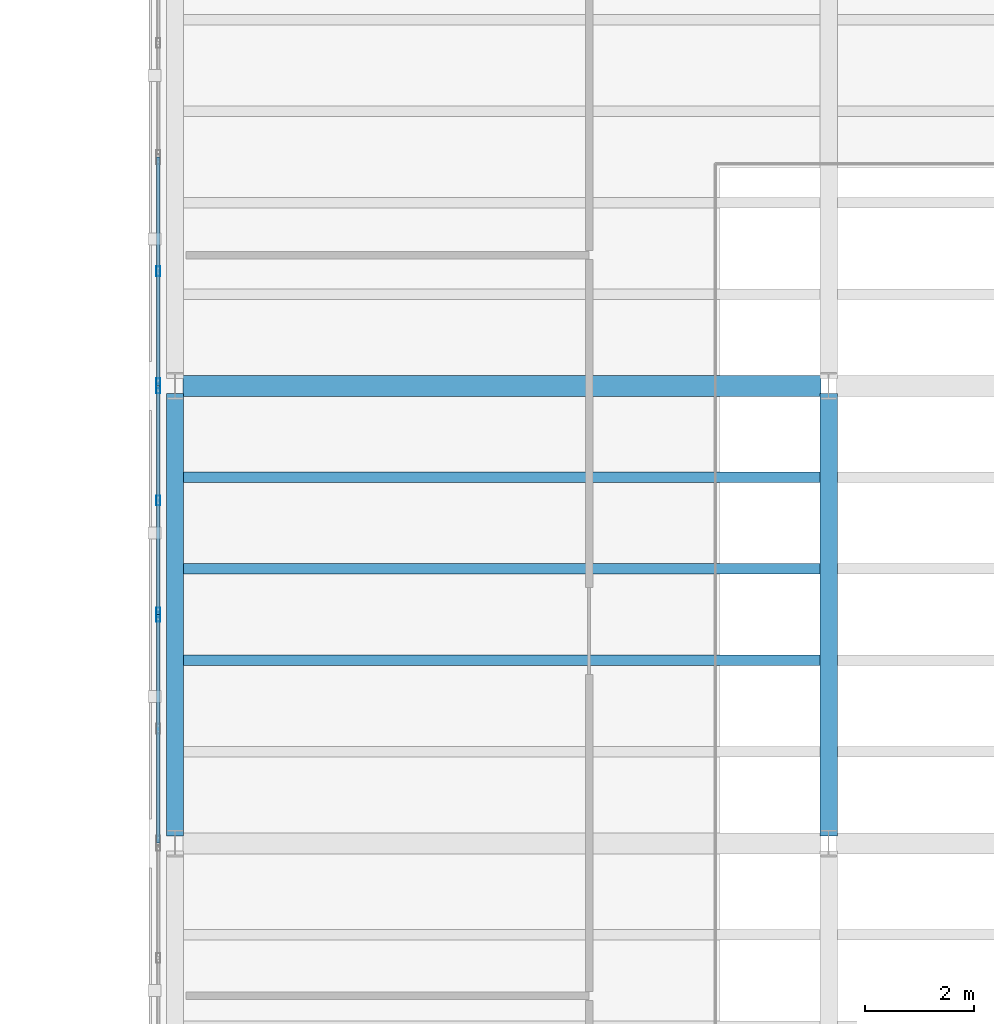
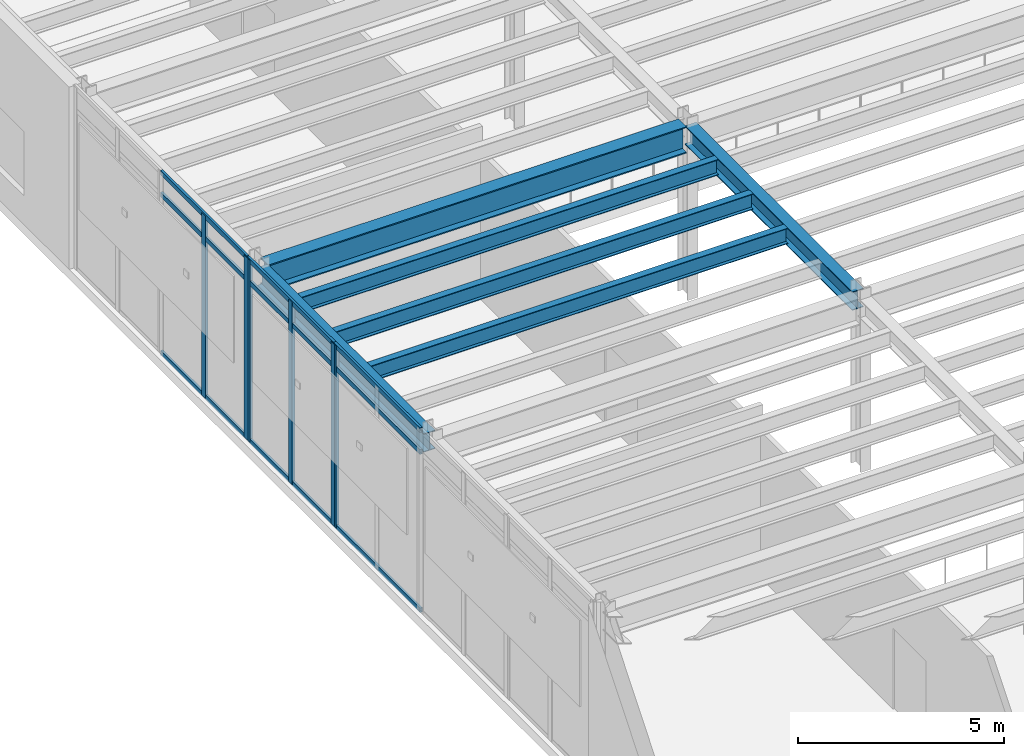
# One storey, part 35 of 98: 15 members, 6 beams, 3 elements without a shape of their own.
"""IFC4 building model written with IfcOpenShell, lengths in metres."""

from ifc_helpers import new_model, si_unit, direction, frame, origin, origin_2d, place, context, subcontext, project, spatial, hollow_rectangle, i_section, extrude, material, layer, layer_set, material_profile, profile_set, type_object, element, aggregate, save


model = new_model("IFC4")

# Units and contexts
model_context = context("Model", 3, precision=1e-05, world=origin(), true_north=direction((0.0, 1.0)))
body_context = subcontext(model_context, "Body", "Model", "MODEL_VIEW")
ifc_project = project(units=[si_unit("LENGTHUNIT", "METRE"), si_unit("AREAUNIT", "SQUARE_METRE"), si_unit("VOLUMEUNIT", "CUBIC_METRE"), si_unit("PLANEANGLEUNIT", "RADIAN"), si_unit("MASSUNIT", "GRAM", prefix="KILO")], contexts=[model_context])

# Site, building, storey
site_placement = place(None, origin())
site = spatial("IfcSite", under=ifc_project, at=site_placement, CompositionType="ELEMENT")
building_placement = place(site_placement, origin())
building = spatial("IfcBuilding", under=site, at=building_placement, Name="Sollismere Congress Hotel", CompositionType="ELEMENT")
storey_placement = place(building_placement, frame((0.0, 0.0, 5.39990234375)))
storey = spatial("IfcBuildingStorey", under=building, at=storey_placement, Name="L01", CompositionType="ELEMENT", Elevation=5.39990234375)

# Beams
ifc_material_1 = material(Name="Steel ASTM A992 Grade 50", Category="steel")
ifc_material_profile_1 = material_profile(ifc_material_1, i_section(OverallWidth=0.31494140625, OverallDepth=0.551025390625, WebThickness=0.01513671875, FlangeThickness=0.0244140625, at=origin_2d()), Name="W21X122")
ifc_profile_set_1 = profile_set([ifc_material_profile_1], Name="Steel ASTM A992 Grade 50")
beam_type_1 = type_object("IfcBeamType", Name="BM-G21H", PredefinedType="BEAM", material=ifc_profile_set_1)
for number, where, z_axis, x_axis, name in (
    (1, (112.0, 41.739990234375, 4.844482421875), (0.0, 1.0, 0.0), (-1.0, 0.0, 0.0), "Beam BM-L01-1683"),
    (2, (124.0, 41.739990234375, 4.844482421875), (0.0, 1.0, 0.0), (-1.0, 0.0, 0.0), "Beam BM-L01-1694"),
):
    element("IfcBeam", number, at=place(storey_placement, frame(where, z_axis=z_axis, x_axis=x_axis)), inside=storey, type_object=beam_type_1, Name=name, PredefinedType="BEAM", context=body_context, shape_type="SweptSolid", body=[
        extrude(i_section(OverallWidth=0.31494140625, OverallDepth=0.551025390625, WebThickness=0.01513671875, FlangeThickness=0.0244140625, at=origin_2d()), origin(), (0.0, 0.0, 1.0), 8.1201171875),
    ])
ifc_material_profile_2 = material_profile(ifc_material_1, i_section(OverallWidth=0.384033203125, OverallDepth=0.787109375, WebThickness=0.019775390625, FlangeThickness=0.033447265625, at=origin_2d()), Name="W30X211")
ifc_profile_set_2 = profile_set([ifc_material_profile_2], Name="Steel ASTM A992 Grade 50")
beam_type_2 = type_object("IfcBeamType", Name="BM-G30", PredefinedType="BEAM", material=ifc_profile_set_2)
beam_placement = place(storey_placement, frame((112.139892578125, 50.0, 4.7265625), z_axis=(1.0, 0.0, 0.0), x_axis=(0.0, 1.0, 0.0)))
element("IfcBeam", 3, at=beam_placement, inside=storey, type_object=beam_type_2, Name="Beam BM-L01-1579", PredefinedType="BEAM", context=body_context, shape_type="SweptSolid", body=[
    extrude(i_section(OverallWidth=0.384033203125, OverallDepth=0.787109375, WebThickness=0.019775390625, FlangeThickness=0.033447265625, at=origin_2d()), origin(), (0.0, 0.0, 1.0), 11.72021484375),
])
ifc_material_profile_3 = material_profile(ifc_material_1, i_section(OverallWidth=0.193115234375, OverallDepth=0.467041015625, WebThickness=0.011474609375, FlangeThickness=0.01904296875, at=origin_2d()), Name="W18X65")
ifc_profile_set_3 = profile_set([ifc_material_profile_3], Name="Steel ASTM A992 Grade 50")
beam_type_3 = type_object("IfcBeamType", Name="BM-J18", PredefinedType="JOIST", material=ifc_profile_set_3)
for number, where, z_axis, x_axis, name in (
    (4, (112.157470703125, 44.9599609375, 4.88671875), (1.0, 0.0, 0.0), (0.0, 1.0, 0.0), "Beam BM-L01-1878"),
    (5, (112.157470703125, 46.639892578125, 4.88671875), (1.0, 0.0, 0.0), (0.0, 1.0, 0.0), "Beam BM-L01-1879"),
    (6, (112.157470703125, 48.320068359375, 4.88671875), (1.0, 0.0, 0.0), (0.0, 1.0, 0.0), "Beam BM-L01-1880"),
):
    element("IfcBeam", number, at=place(storey_placement, frame(where, z_axis=z_axis, x_axis=x_axis)), inside=storey, type_object=beam_type_3, Name=name, PredefinedType="JOIST", context=body_context, shape_type="SweptSolid", body=[
        extrude(i_section(OverallWidth=0.193115234375, OverallDepth=0.467041015625, WebThickness=0.011474609375, FlangeThickness=0.01904296875, at=origin_2d()), origin(), (0.0, 0.0, 1.0), 11.68505859375),
    ])

# Curtain wall, member
ifc_material_2 = material(Name="Anodized Bronze Curtain Wall & Low-E Triple Glazing", Category="glass")
ifc_layer = layer(ifc_material_2, 0.199951171875, Name="Anodized Bronze Curtain Wall & Low-E Triple Glazing")
ifc_layer_set = layer_set([ifc_layer], Name="Anodized Bronze Curtain Wall & Low-E Triple Glazing")
curtain_wall_type = type_object("IfcCurtainWallType", Name="CW-GLZ36", PredefinedType="USERDEFINED", material=ifc_layer_set)
curtain_wall_1_placement = place(storey_placement, origin())
curtain_wall_1 = element("IfcCurtainWall", 7, at=curtain_wall_1_placement, inside=storey, type_object=curtain_wall_type, Name="Unitised curtain wall CW-L01-143", ObjectType="UNITISED CURTAIN WALL", PredefinedType="USERDEFINED")
ifc_material_3 = material(Name="Anodized Aluminum 6063-T6", Category="aluminium")
ifc_material_profile_4 = material_profile(ifc_material_3, hollow_rectangle(XDim=0.074951171875, YDim=0.179931640625, WallThickness=0.0048828125, at=origin_2d()), Name="ALU180X75X5")
ifc_profile_set_4 = profile_set([ifc_material_profile_4], Name="Anodized Aluminum 6063-T6")
member_type_1 = type_object("IfcMemberType", Name="ML-CW180", PredefinedType="MULLION", material=ifc_profile_set_4)
member_1_placement = place(storey_placement, frame((111.68994140625, 45.761962890625, 0.0), z_axis=(0.0, 0.0, 1.0), x_axis=(-1.0, 0.0, 0.0)))
member_1 = element("IfcMember", 8, at=member_1_placement, type_object=member_type_1, Name="CWL-CW-L01-143-ML03", PredefinedType="MULLION", context=body_context, shape_type="SweptSolid", body=[
    extrude(hollow_rectangle(XDim=0.074951171875, YDim=0.179931640625, WallThickness=0.0048828125, at=origin_2d()), origin(), (0.0, 0.0, 1.0), 5.400146484375),
])

# Curtain wall, members
curtain_wall_2_placement = place(storey_placement, origin())
curtain_wall_2 = element("IfcCurtainWall", 9, at=curtain_wall_2_placement, inside=storey, type_object=curtain_wall_type, Name="Unitised curtain wall CW-L01-144", ObjectType="UNITISED CURTAIN WALL", PredefinedType="USERDEFINED")
member_2_placement = place(storey_placement, frame((111.68994140625, 45.837890625, 0.0), z_axis=(0.0, 0.0, 1.0), x_axis=(-1.0, 0.0, 0.0)))
member_2 = element("IfcMember", 10, at=member_2_placement, type_object=member_type_1, Name="CWL-CW-L01-144-ML01", PredefinedType="MULLION", context=body_context, shape_type="SweptSolid", body=[
    extrude(hollow_rectangle(XDim=0.074951171875, YDim=0.179931640625, WallThickness=0.0048828125, at=origin_2d()), origin(), (0.0, 0.0, 1.0), 5.400146484375),
])
member_3_placement = place(storey_placement, frame((111.68994140625, 47.89501953125, 0.0), z_axis=(0.0, 0.0, 1.0), x_axis=(-1.0, 0.0, 0.0)))
member_3 = element("IfcMember", 11, at=member_3_placement, type_object=member_type_1, Name="CWL-CW-L01-144-ML02", PredefinedType="MULLION", context=body_context, shape_type="SweptSolid", body=[
    extrude(hollow_rectangle(XDim=0.074951171875, YDim=0.179931640625, WallThickness=0.0048828125, at=origin_2d()), origin(), (0.0, 0.0, 1.0), 5.400146484375),
])
member_4_placement = place(storey_placement, frame((111.68994140625, 49.951904296875, 0.0), z_axis=(0.0, 0.0, 1.0), x_axis=(-1.0, 0.0, 0.0)))
member_4 = element("IfcMember", 12, at=member_4_placement, type_object=member_type_1, Name="CWL-CW-L01-144-ML03", PredefinedType="MULLION", context=body_context, shape_type="SweptSolid", body=[
    extrude(hollow_rectangle(XDim=0.074951171875, YDim=0.179931640625, WallThickness=0.0048828125, at=origin_2d()), origin(), (0.0, 0.0, 1.0), 5.400146484375),
])

curtain_wall_3_placement = place(storey_placement, origin())
curtain_wall_3 = element("IfcCurtainWall", 13, at=curtain_wall_3_placement, inside=storey, type_object=curtain_wall_type, Name="Unitised curtain wall CW-L01-145", ObjectType="UNITISED CURTAIN WALL", PredefinedType="USERDEFINED")
member_5_placement = place(storey_placement, frame((111.68994140625, 50.048095703125, 0.0), z_axis=(0.0, 0.0, 1.0), x_axis=(-1.0, 0.0, 0.0)))
member_5 = element("IfcMember", 14, at=member_5_placement, type_object=member_type_1, Name="CWL-CW-L01-145-ML01", PredefinedType="MULLION", context=body_context, shape_type="SweptSolid", body=[
    extrude(hollow_rectangle(XDim=0.074951171875, YDim=0.179931640625, WallThickness=0.0048828125, at=origin_2d()), origin(), (0.0, 0.0, 1.0), 5.400146484375),
])
member_6_placement = place(storey_placement, frame((111.68994140625, 52.10498046875, 0.0), z_axis=(0.0, 0.0, 1.0), x_axis=(-1.0, 0.0, 0.0)))
member_6 = element("IfcMember", 15, at=member_6_placement, type_object=member_type_1, Name="CWL-CW-L01-145-ML02", PredefinedType="MULLION", context=body_context, shape_type="SweptSolid", body=[
    extrude(hollow_rectangle(XDim=0.074951171875, YDim=0.179931640625, WallThickness=0.0048828125, at=origin_2d()), origin(), (0.0, 0.0, 1.0), 5.400146484375),
])

# Member
ifc_material_profile_5 = material_profile(ifc_material_3, hollow_rectangle(XDim=0.06494140625, YDim=0.139892578125, WallThickness=0.00390625, at=origin_2d()), Name="ALU140X65X4")
ifc_profile_set_5 = profile_set([ifc_material_profile_5], Name="Anodized Aluminum 6063-T6")
member_type_2 = type_object("IfcMemberType", Name="TR-CW150", PredefinedType="MEMBER", material=ifc_profile_set_5)
member_7_placement = place(storey_placement, frame((111.68994140625, 41.610107421875, 0.03271484375), z_axis=(0.0, 1.0, 0.0), x_axis=(-1.0, 0.0, 0.0)))
member_7 = element("IfcMember", 16, at=member_7_placement, type_object=member_type_2, Name="CWL-CW-L01-143-TR1", PredefinedType="MEMBER", context=body_context, shape_type="SweptSolid", body=[
    extrude(hollow_rectangle(XDim=0.06494140625, YDim=0.139892578125, WallThickness=0.00390625, at=origin_2d()), origin(), (0.0, 0.0, 1.0), 4.18994140625),
])

member_8_placement = place(storey_placement, frame((111.68994140625, 41.610107421875, 4.72021484375), z_axis=(0.0, 1.0, 0.0), x_axis=(-1.0, 0.0, 0.0)))
member_8 = element("IfcMember", 17, at=member_8_placement, type_object=member_type_2, Name="CWL-CW-L01-143-TR2", PredefinedType="MEMBER", context=body_context, shape_type="SweptSolid", body=[
    extrude(hollow_rectangle(XDim=0.06494140625, YDim=0.139892578125, WallThickness=0.00390625, at=origin_2d()), origin(), (0.0, 0.0, 1.0), 4.18994140625),
])

member_9_placement = place(storey_placement, frame((111.68994140625, 41.610107421875, 5.36767578125), z_axis=(0.0, 1.0, 0.0), x_axis=(-1.0, 0.0, 0.0)))
member_9 = element("IfcMember", 18, at=member_9_placement, type_object=member_type_2, Name="CWL-CW-L01-143-TR3", PredefinedType="MEMBER", context=body_context, shape_type="SweptSolid", body=[
    extrude(hollow_rectangle(XDim=0.06494140625, YDim=0.139892578125, WallThickness=0.00390625, at=origin_2d()), origin(), (0.0, 0.0, 1.0), 4.18994140625),
])

aggregate(curtain_wall_1, [member_1, member_7, member_8, member_9])

member_10_placement = place(storey_placement, frame((111.68994140625, 45.800048828125, 0.03271484375), z_axis=(0.0, 1.0, 0.0), x_axis=(-1.0, 0.0, 0.0)))
member_10 = element("IfcMember", 19, at=member_10_placement, type_object=member_type_2, Name="CWL-CW-L01-144-TR1", PredefinedType="MEMBER", context=body_context, shape_type="SweptSolid", body=[
    extrude(hollow_rectangle(XDim=0.06494140625, YDim=0.139892578125, WallThickness=0.00390625, at=origin_2d()), origin(), (0.0, 0.0, 1.0), 4.18994140625),
])

member_11_placement = place(storey_placement, frame((111.68994140625, 45.800048828125, 4.72021484375), z_axis=(0.0, 1.0, 0.0), x_axis=(-1.0, 0.0, 0.0)))
member_11 = element("IfcMember", 20, at=member_11_placement, type_object=member_type_2, Name="CWL-CW-L01-144-TR2", PredefinedType="MEMBER", context=body_context, shape_type="SweptSolid", body=[
    extrude(hollow_rectangle(XDim=0.06494140625, YDim=0.139892578125, WallThickness=0.00390625, at=origin_2d()), origin(), (0.0, 0.0, 1.0), 4.18994140625),
])

member_12_placement = place(storey_placement, frame((111.68994140625, 45.800048828125, 5.36767578125), z_axis=(0.0, 1.0, 0.0), x_axis=(-1.0, 0.0, 0.0)))
member_12 = element("IfcMember", 21, at=member_12_placement, type_object=member_type_2, Name="CWL-CW-L01-144-TR3", PredefinedType="MEMBER", context=body_context, shape_type="SweptSolid", body=[
    extrude(hollow_rectangle(XDim=0.06494140625, YDim=0.139892578125, WallThickness=0.00390625, at=origin_2d()), origin(), (0.0, 0.0, 1.0), 4.18994140625),
])

aggregate(curtain_wall_2, [member_2, member_3, member_4, member_10, member_11, member_12])

member_13_placement = place(storey_placement, frame((111.68994140625, 50.010009765625, 0.03271484375), z_axis=(0.0, 1.0, 0.0), x_axis=(-1.0, 0.0, 0.0)))
member_13 = element("IfcMember", 22, at=member_13_placement, type_object=member_type_2, Name="CWL-CW-L01-145-TR1", PredefinedType="MEMBER", context=body_context, shape_type="SweptSolid", body=[
    extrude(hollow_rectangle(XDim=0.06494140625, YDim=0.139892578125, WallThickness=0.00390625, at=origin_2d()), origin(), (0.0, 0.0, 1.0), 4.18994140625),
])

member_14_placement = place(storey_placement, frame((111.68994140625, 50.010009765625, 4.72021484375), z_axis=(0.0, 1.0, 0.0), x_axis=(-1.0, 0.0, 0.0)))
member_14 = element("IfcMember", 23, at=member_14_placement, type_object=member_type_2, Name="CWL-CW-L01-145-TR2", PredefinedType="MEMBER", context=body_context, shape_type="SweptSolid", body=[
    extrude(hollow_rectangle(XDim=0.06494140625, YDim=0.139892578125, WallThickness=0.00390625, at=origin_2d()), origin(), (0.0, 0.0, 1.0), 4.18994140625),
])

member_15_placement = place(storey_placement, frame((111.68994140625, 50.010009765625, 5.36767578125), z_axis=(0.0, 1.0, 0.0), x_axis=(-1.0, 0.0, 0.0)))
member_15 = element("IfcMember", 24, at=member_15_placement, type_object=member_type_2, Name="CWL-CW-L01-145-TR3", PredefinedType="MEMBER", context=body_context, shape_type="SweptSolid", body=[
    extrude(hollow_rectangle(XDim=0.06494140625, YDim=0.139892578125, WallThickness=0.00390625, at=origin_2d()), origin(), (0.0, 0.0, 1.0), 4.18994140625),
])

aggregate(curtain_wall_3, [member_5, member_6, member_13, member_14, member_15])

save(model, "model.ifc")
